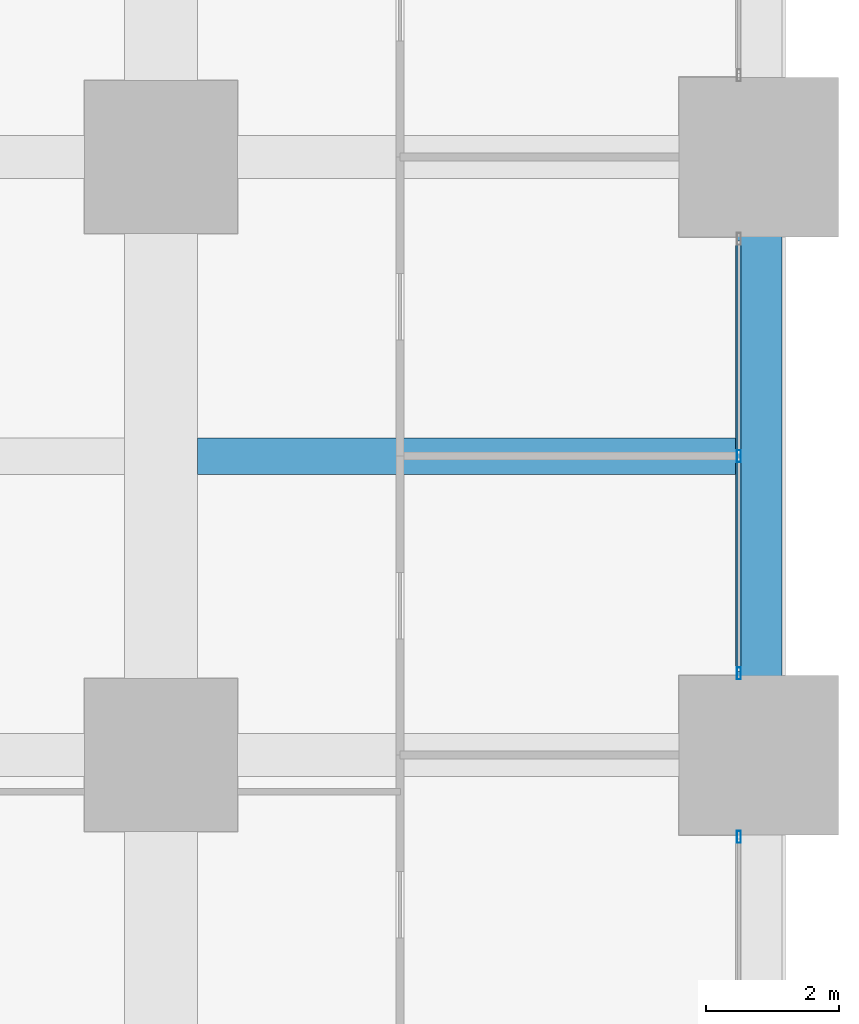
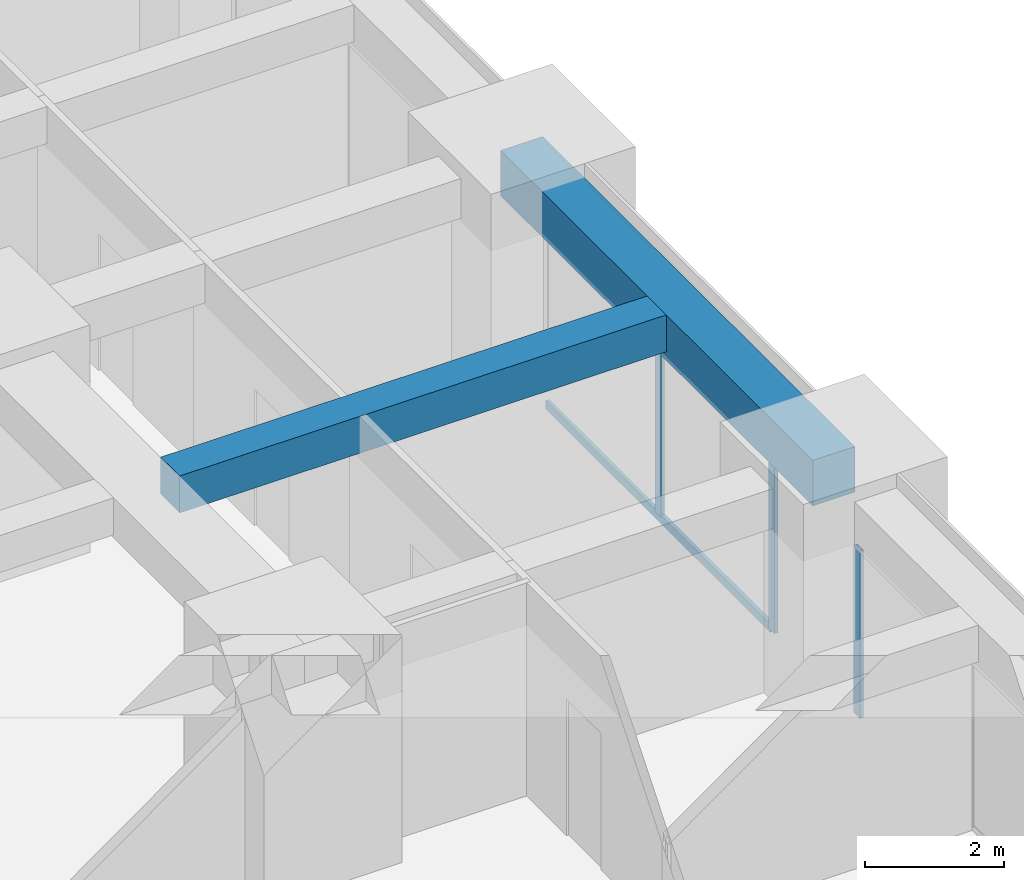
# One storey, part 20 of 45: 4 members, 2 beams, 2 elements without a shape of their own.
"""IFC4 building model written with IfcOpenShell, lengths in metres."""

from ifc_helpers import new_model, si_unit, direction, frame, origin, origin_2d, place, context, subcontext, project, spatial, rectangle, hollow_rectangle, extrude, material, material_profile, profile_set, type_object, element, aggregate, save


model = new_model("IFC4")

# Units and contexts
model_context = context("Model", 3, precision=1e-05, world=origin(), true_north=direction((0.0, 1.0)))
body_context = subcontext(model_context, "Body", "Model", "MODEL_VIEW")
ifc_project = project(units=[si_unit("LENGTHUNIT", "METRE"), si_unit("AREAUNIT", "SQUARE_METRE"), si_unit("VOLUMEUNIT", "CUBIC_METRE"), si_unit("PLANEANGLEUNIT", "RADIAN"), si_unit("MASSUNIT", "GRAM", prefix="KILO")], contexts=[model_context])

# Site, building, storey
site_placement = place(None, origin())
site = spatial("IfcSite", under=ifc_project, at=site_placement, CompositionType="ELEMENT")
building_placement = place(site_placement, origin())
building = spatial("IfcBuilding", under=site, at=building_placement, Name="Zorevar Civic Tower", CompositionType="ELEMENT")
storey_placement = place(building_placement, frame((0.0, 0.0, 23.800048828125)))
storey = spatial("IfcBuildingStorey", under=building, at=storey_placement, Name="L05", CompositionType="ELEMENT", Elevation=23.800048828125)

# Beam
ifc_material_1 = material(Name="Concrete C50/60", Category="concrete")
ifc_material_profile_1 = material_profile(ifc_material_1, rectangle(XDim=0.550048828125, YDim=0.64990234375, at=origin_2d()), Name="RC 550x650")
ifc_profile_set_1 = profile_set([ifc_material_profile_1], Name="Concrete C50/60")
beam_type_1 = type_object("IfcBeamType", Name="Beam RC 550x650", PredefinedType="BEAM", material=ifc_profile_set_1)
beam_1_placement = place(storey_placement, frame((54.550048828125, 22.5, 3.425048828125), z_axis=(1.0, 0.0, 0.0), x_axis=(0.0, 1.0, 0.0)))
element("IfcBeam", 1, at=beam_1_placement, inside=storey, type_object=beam_type_1, Name="Secondary beam L06", PredefinedType="BEAM", context=body_context, shape_type="SweptSolid", body=[
    extrude(rectangle(XDim=0.550048828125, YDim=0.64990234375, at=origin_2d()), origin(), (0.0, 0.0, 1.0), 8.099853515625),
])

# Curtain wall, member
ifc_material_2 = material(Name="Dark grey solar-control glass in black aluminium frame", Category="aluminium")
curtain_wall_type = type_object("IfcCurtainWallType", Name="Curtain wall CW2 low zone", PredefinedType="NOTDEFINED", material=ifc_material_2)
curtain_wall_1_placement = place(storey_placement, origin())
curtain_wall_1 = element("IfcCurtainWall", 2, at=curtain_wall_1_placement, inside=storey, type_object=curtain_wall_type, Name="CW2 L05", PredefinedType="NOTDEFINED")
ifc_material_3 = material(Name="Aluminium, black anodised", Category="aluminium")
ifc_material_profile_2 = material_profile(ifc_material_3, hollow_rectangle(XDim=0.06005859375, YDim=0.179931640625, WallThickness=0.00390625, at=origin_2d()), Name="AL 180x60x4")
ifc_profile_set_2 = profile_set([ifc_material_profile_2], Name="Aluminium, black anodised")
member_type_1 = type_object("IfcMemberType", Name="CW2 mullion AL 180x60x4", PredefinedType="MULLION", material=ifc_profile_set_2)
member_1_placement = place(storey_placement, frame((62.699951171875, 16.77001953125, 0.0), z_axis=(0.0, 0.0, 1.0), x_axis=(-1.0, 0.0, 0.0)))
member_1 = element("IfcMember", 3, at=member_1_placement, type_object=member_type_1, Name="CW2 mullion 3", PredefinedType="MULLION", context=body_context, shape_type="SweptSolid", body=[
    extrude(hollow_rectangle(XDim=0.06005859375, YDim=0.179931640625, WallThickness=0.00390625, at=origin_2d()), origin(), (0.0, 0.0, 1.0), 2.949951171875),
])
aggregate(curtain_wall_1, [member_1])

# Curtain wall, members
curtain_wall_2_placement = place(storey_placement, origin())
curtain_wall_2 = element("IfcCurtainWall", 4, at=curtain_wall_2_placement, inside=storey, type_object=curtain_wall_type, Name="CW2 L05", PredefinedType="NOTDEFINED")
member_2_placement = place(storey_placement, frame((62.699951171875, 19.22998046875, 0.0), z_axis=(0.0, 0.0, 1.0), x_axis=(-1.0, 0.0, 0.0)))
member_2 = element("IfcMember", 5, at=member_2_placement, type_object=member_type_1, Name="CW2 mullion 1", PredefinedType="MULLION", context=body_context, shape_type="SweptSolid", body=[
    extrude(hollow_rectangle(XDim=0.06005859375, YDim=0.179931640625, WallThickness=0.00390625, at=origin_2d()), origin(), (0.0, 0.0, 1.0), 2.949951171875),
])
member_3_placement = place(storey_placement, frame((62.699951171875, 22.5, 0.06005859375), z_axis=(0.0, 0.0, 1.0), x_axis=(-1.0, 0.0, 0.0)))
member_3 = element("IfcMember", 6, at=member_3_placement, type_object=member_type_1, Name="CW2 mullion 2", PredefinedType="MULLION", context=body_context, shape_type="SweptSolid", body=[
    extrude(hollow_rectangle(XDim=0.06005859375, YDim=0.179931640625, WallThickness=0.00390625, at=origin_2d()), origin(), (0.0, 0.0, 1.0), 2.889892578125),
])
ifc_material_4 = material(Name="Aluminium, black anodised", Category="aluminium")
ifc_material_profile_3 = material_profile(ifc_material_4, hollow_rectangle(XDim=0.06005859375, YDim=0.14990234375, WallThickness=0.00390625, at=origin_2d()), Name="AL 150x60x4")
ifc_profile_set_3 = profile_set([ifc_material_profile_3], Name="Aluminium, black anodised")
member_type_2 = type_object("IfcMemberType", Name="CW2 transom AL 150x60x4", PredefinedType="USERDEFINED", material=ifc_profile_set_3)
member_4_placement = place(storey_placement, frame((62.699951171875, 19.260009765625, 0.030029296875), z_axis=(0.0, 1.0, 0.0), x_axis=(-1.0, 0.0, 0.0)))
member_4 = element("IfcMember", 7, at=member_4_placement, type_object=member_type_2, Name="CW2 sill transom", ObjectType="TRANSOM", PredefinedType="USERDEFINED", context=body_context, shape_type="SweptSolid", body=[
    extrude(hollow_rectangle(XDim=0.06005859375, YDim=0.14990234375, WallThickness=0.00390625, at=origin_2d()), origin(), (0.0, 0.0, 1.0), 6.47998046875),
])
aggregate(curtain_wall_2, [member_2, member_3, member_4])

# Beam
ifc_material_5 = material(Name="Concrete C50/60", Category="concrete")
ifc_material_profile_4 = material_profile(ifc_material_5, rectangle(XDim=0.699951171875, YDim=0.800048828125, at=origin_2d()), Name="RC 700x800")
ifc_profile_set_4 = profile_set([ifc_material_profile_4], Name="Concrete C50/60")
beam_type_2 = type_object("IfcBeamType", Name="Edge beam RC 700x800", PredefinedType="SPANDREL", material=ifc_profile_set_4)
beam_2_placement = place(storey_placement, frame((63.0, 18.0, 3.349853515625), z_axis=(0.0, 1.0, 0.0), x_axis=(-1.0, 0.0, 0.0)))
element("IfcBeam", 8, at=beam_2_placement, inside=storey, type_object=beam_type_2, Name="Edge beam L06", PredefinedType="SPANDREL", context=body_context, shape_type="SweptSolid", body=[
    extrude(rectangle(XDim=0.699951171875, YDim=0.800048828125, at=origin_2d()), origin(), (0.0, 0.0, 1.0), 9.0),
])

save(model, "model.ifc")
